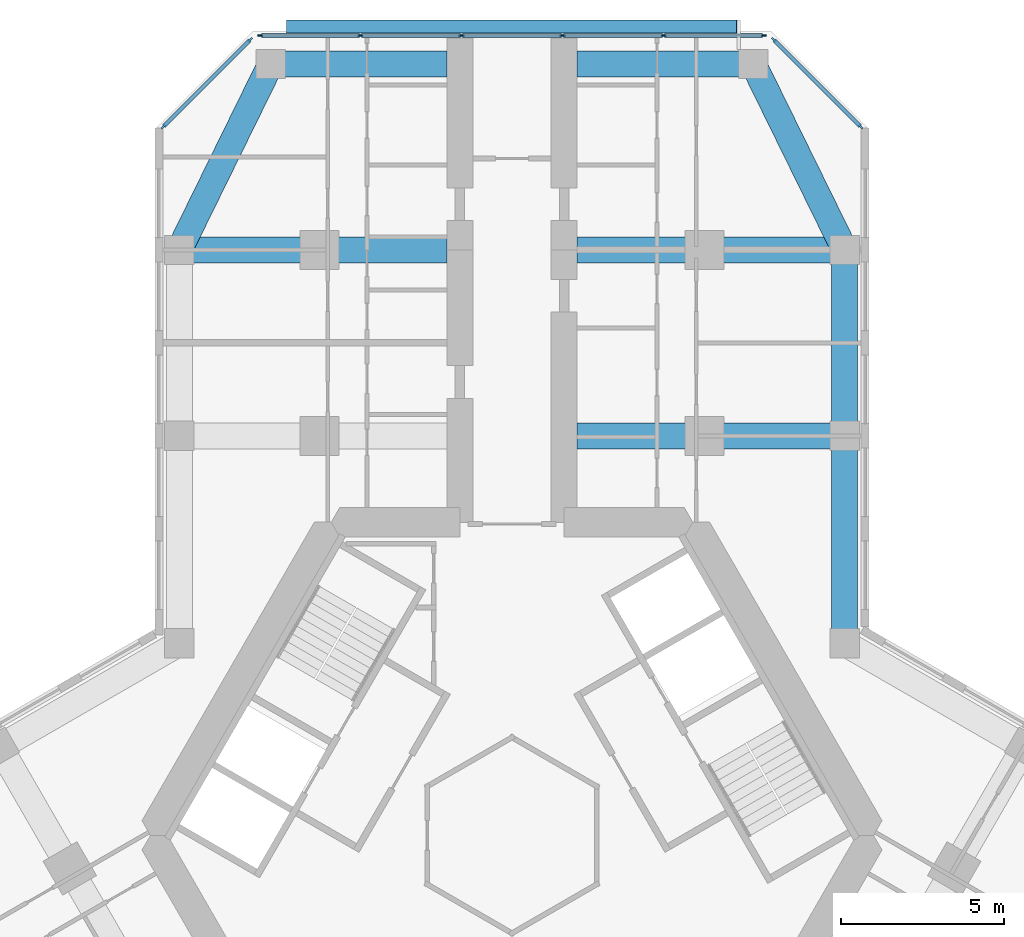
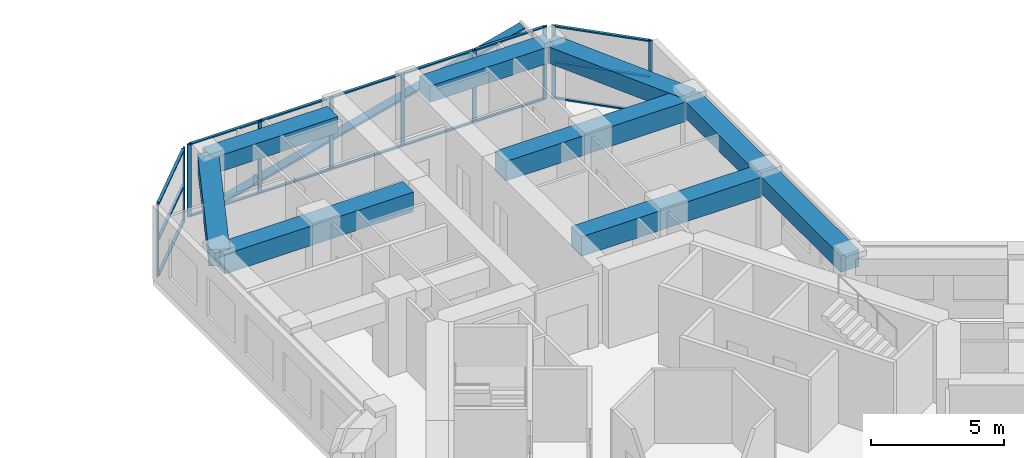
# One storey, part 7 of 19: 27 members, 9 beams, 3 elements without a shape of their own.
"""IFC4 building model written with IfcOpenShell, lengths in metres."""

from ifc_helpers import new_model, si_unit, direction, frame, origin, origin_2d, place, context, subcontext, project, spatial, rectangle, extrude, material, material_profile, profile_set, type_object, element, aggregate, save


model = new_model("IFC4")

# Units and contexts
model_context = context("Model", 3, precision=1e-05, world=origin(), true_north=direction((0.0, 1.0)))
body_context = subcontext(model_context, "Body", "Model", "MODEL_VIEW")
ifc_project = project(units=[si_unit("LENGTHUNIT", "METRE"), si_unit("AREAUNIT", "SQUARE_METRE"), si_unit("VOLUMEUNIT", "CUBIC_METRE"), si_unit("PLANEANGLEUNIT", "RADIAN"), si_unit("MASSUNIT", "GRAM", prefix="KILO")], contexts=[model_context])

# Site, building, storey
site_placement = place(None, origin())
site = spatial("IfcSite", under=ifc_project, at=site_placement, CompositionType="ELEMENT")
building_placement = place(site_placement, origin())
building = spatial("IfcBuilding", under=site, at=building_placement, Name="Kosmar Iwan School Tower", CompositionType="ELEMENT")
storey_placement = place(building_placement, frame((0.0, 0.0, 165.199951171875)))
storey = spatial("IfcBuildingStorey", under=building, at=storey_placement, Name="L41", CompositionType="ELEMENT", Elevation=165.199951171875)

# Member
ifc_material_1 = material(Name="Black anodised aluminium", Category="aluminium")
ifc_material_profile_1 = material_profile(ifc_material_1, rectangle(XDim=0.10009765625, YDim=0.39990234375, at=origin_2d()), Name="FIN 100x400")
ifc_profile_set_1 = profile_set([ifc_material_profile_1], Name="Black anodised aluminium")
member_type_1 = type_object("IfcMemberType", Name="Diagonal fin 100x400", PredefinedType="USERDEFINED", material=ifc_profile_set_1)
member_1_placement = place(storey_placement, frame((-6.898193359375, 24.800048828125, -0.14990234375), z_axis=(0.967603633438, 0.0, 0.252474174041), x_axis=(-0.252474174041, 0.0, 0.967603633438)))
element("IfcMember", 1, at=member_1_placement, inside=storey, type_object=member_type_1, Name="Diagonal fin L41-F08", ObjectType="FIN", PredefinedType="USERDEFINED", context=body_context, shape_type="SweptSolid", body=[
    extrude(rectangle(XDim=0.10009765625, YDim=0.39990234375, at=origin_2d()), origin(), (0.0, 0.0, 1.0), 14.25830078125),
])

# Curtain wall, members
ifc_material_2 = material(Name="Dark glass in black aluminium frame", Category="aluminium")
curtain_wall_type_1 = type_object("IfcCurtainWallType", Name="Chamfer curtain wall dark glass", PredefinedType="USERDEFINED", material=ifc_material_2)
curtain_wall_1_placement = place(storey_placement, origin())
curtain_wall_1 = element("IfcCurtainWall", 2, at=curtain_wall_1_placement, inside=storey, type_object=curtain_wall_type_1, Name="Curtain wall L41-F07", ObjectType="FACETED CURTAIN WALL", PredefinedType="USERDEFINED")
ifc_material_3 = material(Name="Black anodised aluminium", Category="aluminium")
ifc_material_profile_2 = material_profile(ifc_material_3, rectangle(XDim=0.06005859375, YDim=0.159912109375, at=origin_2d()), Name="MULLION 60x160")
ifc_profile_set_2 = profile_set([ifc_material_profile_2], Name="Black anodised aluminium")
member_type_2 = type_object("IfcMemberType", Name="Mullion 60x160", PredefinedType="MULLION", material=ifc_profile_set_2)
member_2_placement = place(storey_placement, frame((10.69775390625, 21.7255859375, 0.0), z_axis=(0.0, 0.0, 1.0), x_axis=(-0.707106781187, -0.707106781187, 0.0)))
member_2 = element("IfcMember", 3, at=member_2_placement, type_object=member_type_2, Name="CW2 mullion 1", PredefinedType="MULLION", context=body_context, shape_type="SweptSolid", body=[
    extrude(rectangle(XDim=0.06005859375, YDim=0.159912109375, at=origin_2d()), origin(), (0.0, 0.0, 1.0), 3.35009765625),
])
member_3_placement = place(storey_placement, frame((8.025390625, 24.397705078125, 0.0), z_axis=(0.0, 0.0, 1.0), x_axis=(-0.707106781187, -0.707106781187, 0.0)))
member_3 = element("IfcMember", 4, at=member_3_placement, type_object=member_type_2, Name="CW2 mullion 2", PredefinedType="MULLION", context=body_context, shape_type="SweptSolid", body=[
    extrude(rectangle(XDim=0.06005859375, YDim=0.159912109375, at=origin_2d()), origin(), (0.0, 0.0, 1.0), 3.35009765625),
])

ifc_material_4 = material(Name="Dark glass in black aluminium frame", Category="aluminium")
curtain_wall_type_2 = type_object("IfcCurtainWallType", Name="Tower curtain wall dark glass", PredefinedType="USERDEFINED", material=ifc_material_4)
curtain_wall_2_placement = place(storey_placement, origin())
curtain_wall_2 = element("IfcCurtainWall", 5, at=curtain_wall_2_placement, inside=storey, type_object=curtain_wall_type_2, Name="Curtain wall L41-F08", ObjectType="UNITISED CURTAIN WALL", PredefinedType="USERDEFINED")
member_4_placement = place(storey_placement, frame((7.71826171875, 24.52490234375, 0.0), z_axis=(0.0, 0.0, 1.0), x_axis=(0.0, -1.0, 0.0)))
member_4 = element("IfcMember", 6, at=member_4_placement, type_object=member_type_2, Name="CW1 mullion 1", PredefinedType="MULLION", context=body_context, shape_type="SweptSolid", body=[
    extrude(rectangle(XDim=0.06005859375, YDim=0.159912109375, at=origin_2d()), origin(), (0.0, 0.0, 1.0), 3.35009765625),
])
member_5_placement = place(storey_placement, frame((4.64892578125, 24.52490234375, 0.0), z_axis=(0.0, 0.0, 1.0), x_axis=(0.0, -1.0, 0.0)))
member_5 = element("IfcMember", 7, at=member_5_placement, type_object=member_type_2, Name="CW1 mullion 2", PredefinedType="MULLION", context=body_context, shape_type="SweptSolid", body=[
    extrude(rectangle(XDim=0.06005859375, YDim=0.159912109375, at=origin_2d()), origin(), (0.0, 0.0, 1.0), 3.35009765625),
])
member_6_placement = place(storey_placement, frame((1.549560546875, 24.52490234375, 0.0), z_axis=(0.0, 0.0, 1.0), x_axis=(0.0, -1.0, 0.0)))
member_6 = element("IfcMember", 8, at=member_6_placement, type_object=member_type_2, Name="CW1 mullion 3", PredefinedType="MULLION", context=body_context, shape_type="SweptSolid", body=[
    extrude(rectangle(XDim=0.06005859375, YDim=0.159912109375, at=origin_2d()), origin(), (0.0, 0.0, 1.0), 3.35009765625),
])
member_7_placement = place(storey_placement, frame((-1.549560546875, 24.52490234375, 0.0), z_axis=(0.0, 0.0, 1.0), x_axis=(0.0, -1.0, 0.0)))
member_7 = element("IfcMember", 9, at=member_7_placement, type_object=member_type_2, Name="CW1 mullion 4", PredefinedType="MULLION", context=body_context, shape_type="SweptSolid", body=[
    extrude(rectangle(XDim=0.06005859375, YDim=0.159912109375, at=origin_2d()), origin(), (0.0, 0.0, 1.0), 3.35009765625),
])
member_8_placement = place(storey_placement, frame((-4.64892578125, 24.52490234375, 0.0), z_axis=(0.0, 0.0, 1.0), x_axis=(0.0, -1.0, 0.0)))
member_8 = element("IfcMember", 10, at=member_8_placement, type_object=member_type_2, Name="CW1 mullion 5", PredefinedType="MULLION", context=body_context, shape_type="SweptSolid", body=[
    extrude(rectangle(XDim=0.06005859375, YDim=0.159912109375, at=origin_2d()), origin(), (0.0, 0.0, 1.0), 3.35009765625),
])
member_9_placement = place(storey_placement, frame((-7.71826171875, 24.52490234375, 0.0), z_axis=(0.0, 0.0, 1.0), x_axis=(0.0, -1.0, 0.0)))
member_9 = element("IfcMember", 11, at=member_9_placement, type_object=member_type_2, Name="CW1 mullion 6", PredefinedType="MULLION", context=body_context, shape_type="SweptSolid", body=[
    extrude(rectangle(XDim=0.06005859375, YDim=0.159912109375, at=origin_2d()), origin(), (0.0, 0.0, 1.0), 3.35009765625),
])

curtain_wall_3_placement = place(storey_placement, origin())
curtain_wall_3 = element("IfcCurtainWall", 12, at=curtain_wall_3_placement, inside=storey, type_object=curtain_wall_type_1, Name="Curtain wall L41-F09", ObjectType="FACETED CURTAIN WALL", PredefinedType="USERDEFINED")
member_10_placement = place(storey_placement, frame((-8.025390625, 24.397705078125, 0.0), z_axis=(0.0, 0.0, 1.0), x_axis=(0.707106781187, -0.707106781187, 0.0)))
member_10 = element("IfcMember", 13, at=member_10_placement, type_object=member_type_2, Name="CW2 mullion 1", PredefinedType="MULLION", context=body_context, shape_type="SweptSolid", body=[
    extrude(rectangle(XDim=0.06005859375, YDim=0.159912109375, at=origin_2d()), origin(), (0.0, 0.0, 1.0), 3.35009765625),
])
member_11_placement = place(storey_placement, frame((-10.69775390625, 21.7255859375, 0.0), z_axis=(0.0, 0.0, 1.0), x_axis=(0.707106781187, -0.707106781187, 0.0)))
member_11 = element("IfcMember", 14, at=member_11_placement, type_object=member_type_2, Name="CW2 mullion 2", PredefinedType="MULLION", context=body_context, shape_type="SweptSolid", body=[
    extrude(rectangle(XDim=0.06005859375, YDim=0.159912109375, at=origin_2d()), origin(), (0.0, 0.0, 1.0), 3.35009765625),
])

# Beams
ifc_material_5 = material(Name="Concrete C50/60", Category="concrete")
ifc_material_profile_3 = material_profile(ifc_material_5, rectangle(XDim=0.800048828125, YDim=0.75, at=origin_2d()), Name="RC 800x750")
ifc_profile_set_3 = profile_set([ifc_material_profile_3], Name="Concrete C50/60")
beam_type_1 = type_object("IfcBeamType", Name="RC edge beam 800x750", PredefinedType="BEAM", material=ifc_profile_set_3)
beam_1_placement = place(storey_placement, frame((10.199951171875, 5.888916015625, 2.97509765625), z_axis=(0.0, 1.0, 0.0), x_axis=(-1.0, 0.0, 0.0)))
element("IfcBeam", 15, at=beam_1_placement, inside=storey, type_object=beam_type_1, Name="Edge beam AR1", PredefinedType="BEAM", context=body_context, shape_type="SweptSolid", body=[
    extrude(rectangle(XDim=0.800048828125, YDim=0.75, at=origin_2d()), origin(), (0.0, 0.0, 1.0), 6.361083984375),
])
beam_2_placement = place(storey_placement, frame((10.199951171875, 12.25, 2.97509765625), z_axis=(0.0, 1.0, 0.0), x_axis=(-1.0, 0.0, 0.0)))
element("IfcBeam", 16, at=beam_2_placement, inside=storey, type_object=beam_type_1, Name="Edge beam AR2", PredefinedType="BEAM", context=body_context, shape_type="SweptSolid", body=[
    extrude(rectangle(XDim=0.800048828125, YDim=0.75, at=origin_2d()), origin(), (0.0, 0.0, 1.0), 5.699951171875),
])
ifc_material_6 = material(Name="Concrete C50/60", Category="concrete")
ifc_material_profile_4 = material_profile(ifc_material_6, rectangle(XDim=0.800048828125, YDim=0.75, at=origin_2d()), Name="RC 800x750")
ifc_profile_set_4 = profile_set([ifc_material_profile_4], Name="Concrete C50/60")
beam_type_2 = type_object("IfcBeamType", Name="RC tip beam 800x750", PredefinedType="BEAM", material=ifc_profile_set_4)
beam_3_placement = place(storey_placement, frame((-10.199951171875, 17.949951171875, 2.97509765625), z_axis=(0.440913116462, 0.897549788999, 0.0), x_axis=(-0.897549788999, 0.440913116462, 0.0)))
element("IfcBeam", 17, at=beam_3_placement, inside=storey, type_object=beam_type_2, Name="Tip beam AL", PredefinedType="BEAM", context=body_context, shape_type="SweptSolid", body=[
    extrude(rectangle(XDim=0.800048828125, YDim=0.75, at=origin_2d()), origin(), (0.0, 0.0, 1.0), 6.3505859375),
])
beam_4_placement = place(storey_placement, frame((-7.39990234375, 23.64990234375, 2.97509765625), z_axis=(1.0, 0.0, 0.0), x_axis=(0.0, 1.0, 0.0)))
element("IfcBeam", 18, at=beam_4_placement, inside=storey, type_object=beam_type_2, Name="Tip beam AL to corridor wall", PredefinedType="BEAM", context=body_context, shape_type="SweptSolid", body=[
    extrude(rectangle(XDim=0.800048828125, YDim=0.75, at=origin_2d()), origin(), (0.0, 0.0, 1.0), 5.39990234375),
])
beam_5_placement = place(storey_placement, frame((10.199951171875, 17.949951171875, 2.97509765625), z_axis=(-0.440913116462, 0.897549788999, 0.0), x_axis=(-0.897549788999, -0.440913116462, 0.0)))
element("IfcBeam", 19, at=beam_5_placement, inside=storey, type_object=beam_type_2, Name="Tip beam AR", PredefinedType="BEAM", context=body_context, shape_type="SweptSolid", body=[
    extrude(rectangle(XDim=0.800048828125, YDim=0.75, at=origin_2d()), origin(), (0.0, 0.0, 1.0), 6.3505859375),
])
beam_6_placement = place(storey_placement, frame((7.39990234375, 23.64990234375, 2.97509765625), z_axis=(-1.0, 0.0, 0.0), x_axis=(0.0, -1.0, 0.0)))
element("IfcBeam", 20, at=beam_6_placement, inside=storey, type_object=beam_type_2, Name="Tip beam AR to corridor wall", PredefinedType="BEAM", context=body_context, shape_type="SweptSolid", body=[
    extrude(rectangle(XDim=0.800048828125, YDim=0.75, at=origin_2d()), origin(), (0.0, 0.0, 1.0), 5.39990234375),
])
ifc_material_7 = material(Name="Concrete C50/60", Category="concrete")
ifc_material_profile_5 = material_profile(ifc_material_7, rectangle(XDim=0.800048828125, YDim=0.89990234375, at=origin_2d()), Name="RC 800x900")
ifc_profile_set_5 = profile_set([ifc_material_profile_5], Name="Concrete C50/60")
beam_type_3 = type_object("IfcBeamType", Name="RC transverse beam 800x900", PredefinedType="BEAM", material=ifc_profile_set_5)
for number, where, z_axis, x_axis, name in (
    (21, (-10.199951171875, 17.949951171875, 2.900146484375), (1.0, 0.0, 0.0), (0.0, 1.0, 0.0), "Transverse beam AL2"),
    (22, (10.199951171875, 12.25, 2.900146484375), (-1.0, 0.0, 0.0), (0.0, -1.0, 0.0), "Transverse beam AR1"),
    (23, (10.199951171875, 17.949951171875, 2.900146484375), (-1.0, 0.0, 0.0), (0.0, -1.0, 0.0), "Transverse beam AR2"),
):
    element("IfcBeam", number, at=place(storey_placement, frame(where, z_axis=z_axis, x_axis=x_axis)), inside=storey, type_object=beam_type_3, Name=name, PredefinedType="BEAM", context=body_context, shape_type="SweptSolid", body=[
        extrude(rectangle(XDim=0.800048828125, YDim=0.89990234375, at=origin_2d()), origin(), (0.0, 0.0, 1.0), 8.199951171875),
    ])

# Member
ifc_material_8 = material(Name="Black anodised aluminium", Category="aluminium")
ifc_material_profile_6 = material_profile(ifc_material_8, rectangle(XDim=0.1201171875, YDim=0.06005859375, at=origin_2d()), Name="TRANSOM 60x120")
ifc_profile_set_6 = profile_set([ifc_material_profile_6], Name="Black anodised aluminium")
member_type_3 = type_object("IfcMemberType", Name="Transom 60x120", PredefinedType="USERDEFINED", material=ifc_profile_set_6)
member_12_placement = place(storey_placement, frame((10.676513671875, 21.746826171875, 0.030029296875), z_axis=(-0.707139603466, 0.707073957383, 0.0), x_axis=(-0.707073957383, -0.707139603466, 0.0)))
member_12 = element("IfcMember", 24, at=member_12_placement, type_object=member_type_3, Name="CW2 transom 1.1", ObjectType="TRANSOM", PredefinedType="USERDEFINED", context=body_context, shape_type="SweptSolid", body=[
    extrude(rectangle(XDim=0.1201171875, YDim=0.06005859375, at=origin_2d()), origin(), (0.0, 0.0, 1.0), 3.718994140625),
])

member_13_placement = place(storey_placement, frame((10.676513671875, 21.746826171875, 1.675048828125), z_axis=(-0.707139603466, 0.707073957383, 0.0), x_axis=(-0.707073957383, -0.707139603466, 0.0)))
member_13 = element("IfcMember", 25, at=member_13_placement, type_object=member_type_3, Name="CW2 transom 1.2", ObjectType="TRANSOM", PredefinedType="USERDEFINED", context=body_context, shape_type="SweptSolid", body=[
    extrude(rectangle(XDim=0.1201171875, YDim=0.06005859375, at=origin_2d()), origin(), (0.0, 0.0, 1.0), 3.718994140625),
])

member_14_placement = place(storey_placement, frame((10.676513671875, 21.746826171875, 3.320068359375), z_axis=(-0.707139603466, 0.707073957383, 0.0), x_axis=(-0.707073957383, -0.707139603466, 0.0)))
member_14 = element("IfcMember", 26, at=member_14_placement, type_object=member_type_3, Name="CW2 transom 1.3", ObjectType="TRANSOM", PredefinedType="USERDEFINED", context=body_context, shape_type="SweptSolid", body=[
    extrude(rectangle(XDim=0.1201171875, YDim=0.06005859375, at=origin_2d()), origin(), (0.0, 0.0, 1.0), 3.718994140625),
])

aggregate(curtain_wall_1, [member_2, member_3, member_12, member_13, member_14])

member_15_placement = place(storey_placement, frame((7.688232421875, 24.52490234375, 0.030029296875), z_axis=(-1.0, 0.0, 0.0), x_axis=(0.0, -1.0, 0.0)))
member_15 = element("IfcMember", 27, at=member_15_placement, type_object=member_type_3, Name="CW1 transom 1.1", ObjectType="TRANSOM", PredefinedType="USERDEFINED", context=body_context, shape_type="SweptSolid", body=[
    extrude(rectangle(XDim=0.1201171875, YDim=0.06005859375, at=origin_2d()), origin(), (0.0, 0.0, 1.0), 3.00927734375),
])

member_16_placement = place(storey_placement, frame((7.688232421875, 24.52490234375, 3.320068359375), z_axis=(-1.0, 0.0, 0.0), x_axis=(0.0, -1.0, 0.0)))
member_16 = element("IfcMember", 28, at=member_16_placement, type_object=member_type_3, Name="CW1 transom 1.2", ObjectType="TRANSOM", PredefinedType="USERDEFINED", context=body_context, shape_type="SweptSolid", body=[
    extrude(rectangle(XDim=0.1201171875, YDim=0.06005859375, at=origin_2d()), origin(), (0.0, 0.0, 1.0), 3.00927734375),
])

member_17_placement = place(storey_placement, frame((4.618896484375, 24.52490234375, 0.030029296875), z_axis=(-1.0, 0.0, 0.0), x_axis=(0.0, -1.0, 0.0)))
member_17 = element("IfcMember", 29, at=member_17_placement, type_object=member_type_3, Name="CW1 transom 2.1", ObjectType="TRANSOM", PredefinedType="USERDEFINED", context=body_context, shape_type="SweptSolid", body=[
    extrude(rectangle(XDim=0.1201171875, YDim=0.06005859375, at=origin_2d()), origin(), (0.0, 0.0, 1.0), 3.039306640625),
])

member_18_placement = place(storey_placement, frame((4.618896484375, 24.52490234375, 3.320068359375), z_axis=(-1.0, 0.0, 0.0), x_axis=(0.0, -1.0, 0.0)))
member_18 = element("IfcMember", 30, at=member_18_placement, type_object=member_type_3, Name="CW1 transom 2.2", ObjectType="TRANSOM", PredefinedType="USERDEFINED", context=body_context, shape_type="SweptSolid", body=[
    extrude(rectangle(XDim=0.1201171875, YDim=0.06005859375, at=origin_2d()), origin(), (0.0, 0.0, 1.0), 3.039306640625),
])

member_19_placement = place(storey_placement, frame((1.51953125, 24.52490234375, 0.030029296875), z_axis=(-1.0, 0.0, 0.0), x_axis=(0.0, -1.0, 0.0)))
member_19 = element("IfcMember", 31, at=member_19_placement, type_object=member_type_3, Name="CW1 transom 3.1", ObjectType="TRANSOM", PredefinedType="USERDEFINED", context=body_context, shape_type="SweptSolid", body=[
    extrude(rectangle(XDim=0.1201171875, YDim=0.06005859375, at=origin_2d()), origin(), (0.0, 0.0, 1.0), 3.0390625),
])

member_20_placement = place(storey_placement, frame((1.51953125, 24.52490234375, 3.320068359375), z_axis=(-1.0, 0.0, 0.0), x_axis=(0.0, -1.0, 0.0)))
member_20 = element("IfcMember", 32, at=member_20_placement, type_object=member_type_3, Name="CW1 transom 3.2", ObjectType="TRANSOM", PredefinedType="USERDEFINED", context=body_context, shape_type="SweptSolid", body=[
    extrude(rectangle(XDim=0.1201171875, YDim=0.06005859375, at=origin_2d()), origin(), (0.0, 0.0, 1.0), 3.0390625),
])

member_21_placement = place(storey_placement, frame((-1.57958984375, 24.52490234375, 0.030029296875), z_axis=(-1.0, 0.0, 0.0), x_axis=(0.0, -1.0, 0.0)))
member_21 = element("IfcMember", 33, at=member_21_placement, type_object=member_type_3, Name="CW1 transom 4.1", ObjectType="TRANSOM", PredefinedType="USERDEFINED", context=body_context, shape_type="SweptSolid", body=[
    extrude(rectangle(XDim=0.1201171875, YDim=0.06005859375, at=origin_2d()), origin(), (0.0, 0.0, 1.0), 3.039306640625),
])

member_22_placement = place(storey_placement, frame((-1.57958984375, 24.52490234375, 3.320068359375), z_axis=(-1.0, 0.0, 0.0), x_axis=(0.0, -1.0, 0.0)))
member_22 = element("IfcMember", 34, at=member_22_placement, type_object=member_type_3, Name="CW1 transom 4.2", ObjectType="TRANSOM", PredefinedType="USERDEFINED", context=body_context, shape_type="SweptSolid", body=[
    extrude(rectangle(XDim=0.1201171875, YDim=0.06005859375, at=origin_2d()), origin(), (0.0, 0.0, 1.0), 3.039306640625),
])

member_23_placement = place(storey_placement, frame((-4.678955078125, 24.52490234375, 0.030029296875), z_axis=(-1.0, 0.0, 0.0), x_axis=(0.0, -1.0, 0.0)))
member_23 = element("IfcMember", 35, at=member_23_placement, type_object=member_type_3, Name="CW1 transom 5.1", ObjectType="TRANSOM", PredefinedType="USERDEFINED", context=body_context, shape_type="SweptSolid", body=[
    extrude(rectangle(XDim=0.1201171875, YDim=0.06005859375, at=origin_2d()), origin(), (0.0, 0.0, 1.0), 3.00927734375),
])

member_24_placement = place(storey_placement, frame((-4.678955078125, 24.52490234375, 3.320068359375), z_axis=(-1.0, 0.0, 0.0), x_axis=(0.0, -1.0, 0.0)))
member_24 = element("IfcMember", 36, at=member_24_placement, type_object=member_type_3, Name="CW1 transom 5.2", ObjectType="TRANSOM", PredefinedType="USERDEFINED", context=body_context, shape_type="SweptSolid", body=[
    extrude(rectangle(XDim=0.1201171875, YDim=0.06005859375, at=origin_2d()), origin(), (0.0, 0.0, 1.0), 3.00927734375),
])

aggregate(curtain_wall_2, [member_4, member_5, member_6, member_7, member_8, member_9, member_15, member_16, member_17, member_18, member_19, member_20, member_21, member_22, member_23, member_24])

member_25_placement = place(storey_placement, frame((-8.046630859375, 24.37646484375, 0.030029296875), z_axis=(-0.707139603466, -0.707073957383, 0.0), x_axis=(0.707073957383, -0.707139603466, 0.0)))
member_25 = element("IfcMember", 37, at=member_25_placement, type_object=member_type_3, Name="CW2 transom 1.1", ObjectType="TRANSOM", PredefinedType="USERDEFINED", context=body_context, shape_type="SweptSolid", body=[
    extrude(rectangle(XDim=0.1201171875, YDim=0.06005859375, at=origin_2d()), origin(), (0.0, 0.0, 1.0), 3.718994140625),
])

member_26_placement = place(storey_placement, frame((-8.046630859375, 24.37646484375, 1.675048828125), z_axis=(-0.707139603466, -0.707073957383, 0.0), x_axis=(0.707073957383, -0.707139603466, 0.0)))
member_26 = element("IfcMember", 38, at=member_26_placement, type_object=member_type_3, Name="CW2 transom 1.2", ObjectType="TRANSOM", PredefinedType="USERDEFINED", context=body_context, shape_type="SweptSolid", body=[
    extrude(rectangle(XDim=0.1201171875, YDim=0.06005859375, at=origin_2d()), origin(), (0.0, 0.0, 1.0), 3.718994140625),
])

member_27_placement = place(storey_placement, frame((-8.046630859375, 24.37646484375, 3.320068359375), z_axis=(-0.707139603466, -0.707073957383, 0.0), x_axis=(0.707073957383, -0.707139603466, 0.0)))
member_27 = element("IfcMember", 39, at=member_27_placement, type_object=member_type_3, Name="CW2 transom 1.3", ObjectType="TRANSOM", PredefinedType="USERDEFINED", context=body_context, shape_type="SweptSolid", body=[
    extrude(rectangle(XDim=0.1201171875, YDim=0.06005859375, at=origin_2d()), origin(), (0.0, 0.0, 1.0), 3.718994140625),
])

aggregate(curtain_wall_3, [member_10, member_11, member_25, member_26, member_27])

save(model, "model.ifc")
